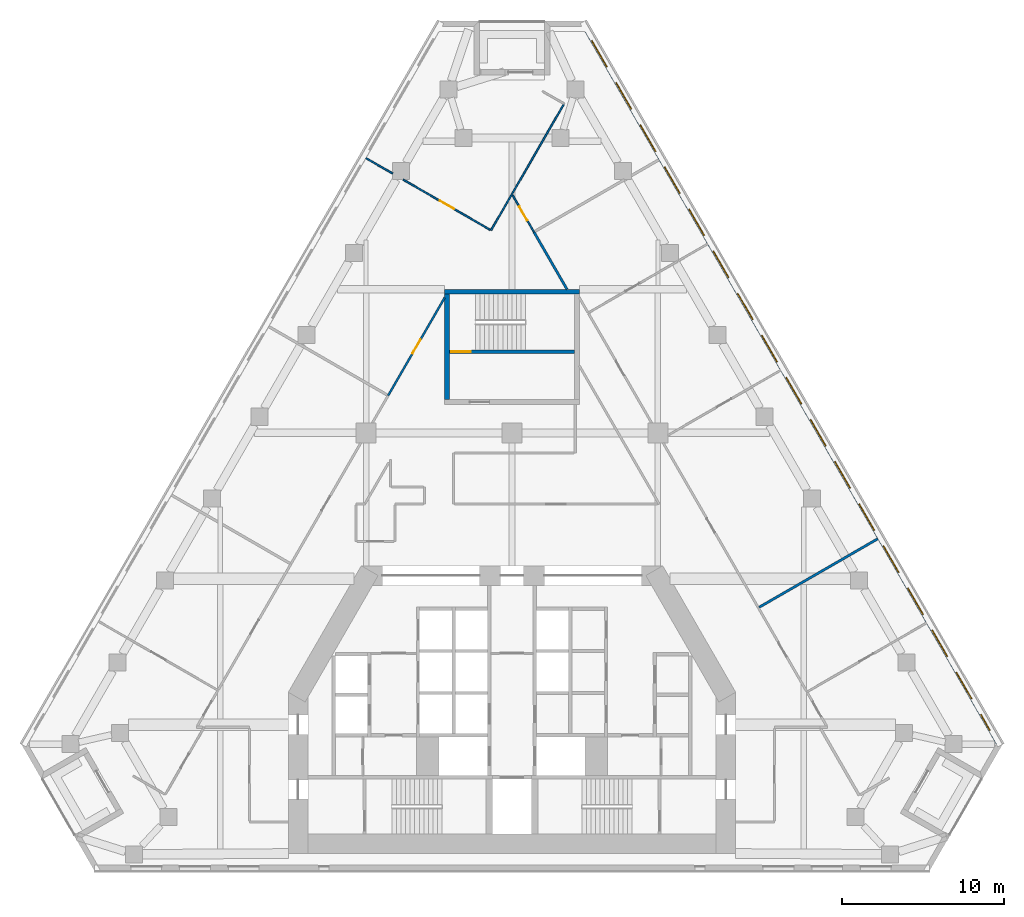
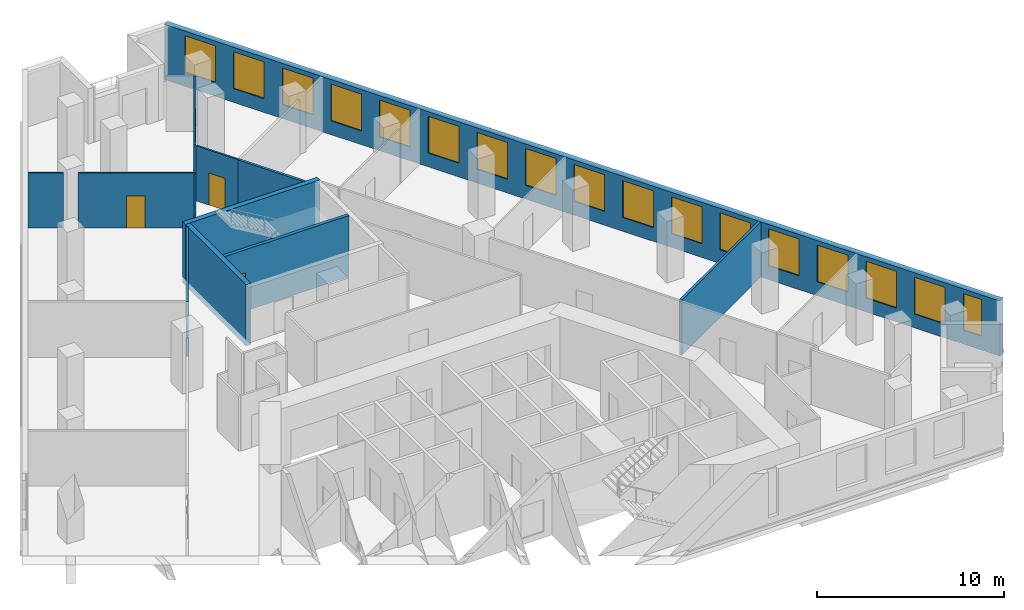
# One storey, part 8 of 10: 17 windows, 12 walls, 4 doors, 21 openings.
"""IFC4 building model written with IfcOpenShell, lengths in metres."""

from ifc_helpers import new_model, si_unit, direction, frame, frame_2d, origin, place, context, subcontext, project, spatial, rectangle, extrude, material, layer, layer_set, type_object, element, fill, save


model = new_model("IFC4")

# Units and contexts
model_context = context("Model", 3, precision=1e-05, world=origin(), true_north=direction((0.0, 1.0)))
body_context = subcontext(model_context, "Body", "Model", "MODEL_VIEW")
ifc_project = project(units=[si_unit("LENGTHUNIT", "METRE"), si_unit("AREAUNIT", "SQUARE_METRE"), si_unit("VOLUMEUNIT", "CUBIC_METRE"), si_unit("PLANEANGLEUNIT", "RADIAN"), si_unit("MASSUNIT", "GRAM", prefix="KILO")], contexts=[model_context])

# Site, building, storey
site_placement = place(None, origin())
site = spatial("IfcSite", under=ifc_project, at=site_placement, CompositionType="ELEMENT")
building_placement = place(site_placement, origin())
building = spatial("IfcBuilding", under=site, at=building_placement, Name="Fogline Exchange Tower", CompositionType="ELEMENT")
storey_placement = place(building_placement, frame((0.0, 0.0, 116.10009765625)))
storey = spatial("IfcBuildingStorey", under=building, at=storey_placement, Name="L25", CompositionType="ELEMENT", Elevation=116.10009765625)

# Wall, opening, door
ifc_material_1 = material(Name="Concrete C40", Category="concrete")
ifc_layer_1 = layer(ifc_material_1, 0.199951171875)
ifc_layer_set_1 = layer_set([ifc_layer_1], Name="CW20R")
wall_type_1 = type_object("IfcWallType", Name="CW20R", PredefinedType="SOLIDWALL", material=ifc_layer_set_1)
wall_1_placement = place(storey_placement, frame((-3.85009765625, 32.007080078125, -0.400146484375), z_axis=(0.0, 0.0, 1.0), x_axis=(1.0, 0.0, 0.0)))
wall_1 = element("IfcWall", 1, at=wall_1_placement, inside=storey, type_object=wall_type_1, Name="Stair enclosure wall ST3", PredefinedType="SOLIDWALL", context=body_context, shape_type="SweptSolid", body=[
    extrude(rectangle(XDim=7.7001953125, YDim=0.199951171875, at=frame_2d((3.85009765625, 0.0))), origin(), (0.0, 0.0, 1.0), 4.0),
])
opening_1_placement = place(wall_1_placement, frame((0.10009765625, 0.0, 0.39990234375)))
opening_1 = element("IfcOpeningElement", 2, at=opening_1_placement, cuts=wall_1, Name="Opening T07-C023", PredefinedType="OPENING", context=body_context, shape_type="SweptSolid", body=[
    extrude(rectangle(XDim=1.199951171875, YDim=2.10009765625, at=frame_2d((0.60009765625, 1.050048828125))), frame((0.0, 0.10986328125, 0.0), z_axis=(0.0, -1.0, 0.0), x_axis=(1.0, 0.0, 0.0)), (0.0, 0.0, 1.0), 0.219970703125),
])
ifc_material_2 = material(Name="Steel and timber fire door", Category="steel")
door_type_1 = type_object("IfcDoorType", Name="D-ST1", OperationType="SINGLE_SWING_LEFT", PredefinedType="DOOR", material=ifc_material_2)
door_1_placement = place(opening_1_placement, origin())
door_1 = element("IfcDoor", 3, at=door_1_placement, inside=storey, type_object=door_type_1, Name="Stair door ST3", OperationType="SINGLE_SWING_LEFT", OverallHeight=2.10009765625, OverallWidth=1.199951171875, PredefinedType="DOOR", context=body_context, shape_type="SweptSolid", body=[
    extrude(rectangle(XDim=1.199951171875, YDim=2.10009765625, at=frame_2d((0.60009765625, 1.050048828125))), frame((0.0, 0.02490234375, 0.0), z_axis=(0.0, -1.0, 0.0), x_axis=(1.0, 0.0, 0.0)), (0.0, 0.0, 1.0), 0.050048828125),
])
fill(opening_1, door_1)

# Walls
ifc_layer_2 = layer(ifc_material_1, 0.300048828125)
ifc_layer_set_2 = layer_set([ifc_layer_2], Name="CW30")
wall_type_2 = type_object("IfcWallType", Name="CW30", PredefinedType="SOLIDWALL", material=ifc_layer_set_2)
wall_2_placement = place(storey_placement, frame((-4.14990234375, 35.70703125, -0.400146484375), z_axis=(0.0, 0.0, 1.0), x_axis=(1.0, 0.0, 0.0)))
element("IfcWall", 4, at=wall_2_placement, inside=storey, type_object=wall_type_2, Name="Stair enclosure wall ST3", PredefinedType="SOLIDWALL", context=body_context, shape_type="SweptSolid", body=[
    extrude(rectangle(XDim=8.2998046875, YDim=0.300048828125, at=frame_2d((4.14990234375, 0.0))), origin(), (0.0, 0.0, 1.0), 4.0),
])
wall_3_placement = place(storey_placement, frame((-4.0, 29.056884765625, -0.400146484375), z_axis=(0.0, 0.0, 1.0), x_axis=(0.0, 1.0, 0.0)))
element("IfcWall", 5, at=wall_3_placement, inside=storey, type_object=wall_type_2, Name="Stair enclosure wall ST3", PredefinedType="SOLIDWALL", context=body_context, shape_type="SweptSolid", body=[
    extrude(rectangle(XDim=6.5, YDim=0.300048828125, at=frame_2d((3.25, 0.0))), origin(), (0.0, 0.0, 1.0), 4.0),
])

# Wall, openings, windows
ifc_material_3 = material(Name="Brick masonry", Category="masonry")
ifc_layer_3 = layer(ifc_material_3, 0.340087890625)
ifc_layer_set_3 = layer_set([ifc_layer_3], Name="FW1")
wall_type_3 = type_object("IfcWallType", Name="FW1", PredefinedType="SOLIDWALL", material=ifc_layer_set_3)
wall_4_placement = place(storey_placement, frame((30.118408203125, 7.709228515625, 0.0), z_axis=(0.0, 0.0, 1.0), x_axis=(-0.49999941333, 0.866025742498, 0.0)))
wall_4 = element("IfcWall", 6, at=wall_4_placement, inside=storey, type_object=wall_type_3, Name="Brick wall L25 E", PredefinedType="SOLIDWALL", context=body_context, shape_type="SweptSolid", body=[
    extrude(rectangle(XDim=51.53125, YDim=0.340087890625, at=frame_2d((25.765625, 0.0))), origin(), (0.0, 0.0, 1.0), 3.599853515625),
])
opening_2_placement = place(wall_4_placement, frame((3.3828125, 0.0, 0.89990234375)))
opening_2 = element("IfcOpeningElement", 7, at=opening_2_placement, cuts=wall_4, Name="Opening W1", PredefinedType="OPENING", context=body_context, shape_type="SweptSolid", body=[
    extrude(rectangle(XDim=1.885009765625, YDim=2.39990234375, at=frame_2d((0.9423828125, 1.199951171875))), frame((0.0, 0.18017578125, 0.0), z_axis=(0.0, -1.0, 0.0), x_axis=(1.0, 0.0, 0.0)), (0.0, 0.0, 1.0), 0.360107421875),
])
opening_3_placement = place(wall_4_placement, frame((6.3828125, 0.0, 0.89990234375)))
opening_3 = element("IfcOpeningElement", 8, at=opening_3_placement, cuts=wall_4, Name="Opening W1", PredefinedType="OPENING", context=body_context, shape_type="SweptSolid", body=[
    extrude(rectangle(XDim=1.885009765625, YDim=2.39990234375, at=frame_2d((0.9423828125, 1.199951171875))), frame((0.0, 0.18017578125, 0.0), z_axis=(0.0, -1.0, 0.0), x_axis=(1.0, 0.0, 0.0)), (0.0, 0.0, 1.0), 0.360107421875),
])
opening_4_placement = place(wall_4_placement, frame((9.3828125, 0.0, 0.89990234375)))
opening_4 = element("IfcOpeningElement", 9, at=opening_4_placement, cuts=wall_4, Name="Opening W1", PredefinedType="OPENING", context=body_context, shape_type="SweptSolid", body=[
    extrude(rectangle(XDim=1.885009765625, YDim=2.39990234375, at=frame_2d((0.9423828125, 1.199951171875))), frame((0.0, 0.18017578125, 0.0), z_axis=(0.0, -1.0, 0.0), x_axis=(1.0, 0.0, 0.0)), (0.0, 0.0, 1.0), 0.360107421875),
])
opening_5_placement = place(wall_4_placement, frame((12.3828125, 0.0, 0.89990234375)))
opening_5 = element("IfcOpeningElement", 10, at=opening_5_placement, cuts=wall_4, Name="Opening W1", PredefinedType="OPENING", context=body_context, shape_type="SweptSolid", body=[
    extrude(rectangle(XDim=1.885009765625, YDim=2.39990234375, at=frame_2d((0.9423828125, 1.199951171875))), frame((0.0, 0.18017578125, 0.0), z_axis=(0.0, -1.0, 0.0), x_axis=(1.0, 0.0, 0.0)), (0.0, 0.0, 1.0), 0.360107421875),
])
opening_6_placement = place(wall_4_placement, frame((15.3828125, 0.0, 0.89990234375)))
opening_6 = element("IfcOpeningElement", 11, at=opening_6_placement, cuts=wall_4, Name="Opening W1", PredefinedType="OPENING", context=body_context, shape_type="SweptSolid", body=[
    extrude(rectangle(XDim=1.885009765625, YDim=2.39990234375, at=frame_2d((0.9423828125, 1.199951171875))), frame((0.0, 0.18017578125, 0.0), z_axis=(0.0, -1.0, 0.0), x_axis=(1.0, 0.0, 0.0)), (0.0, 0.0, 1.0), 0.360107421875),
])
opening_7_placement = place(wall_4_placement, frame((18.3828125, 0.0, 0.89990234375)))
opening_7 = element("IfcOpeningElement", 12, at=opening_7_placement, cuts=wall_4, Name="Opening W1", PredefinedType="OPENING", context=body_context, shape_type="SweptSolid", body=[
    extrude(rectangle(XDim=1.885009765625, YDim=2.39990234375, at=frame_2d((0.9423828125, 1.199951171875))), frame((0.0, 0.18017578125, 0.0), z_axis=(0.0, -1.0, 0.0), x_axis=(1.0, 0.0, 0.0)), (0.0, 0.0, 1.0), 0.360107421875),
])
opening_8_placement = place(wall_4_placement, frame((21.3828125, 0.0, 0.89990234375)))
opening_8 = element("IfcOpeningElement", 13, at=opening_8_placement, cuts=wall_4, Name="Opening W1", PredefinedType="OPENING", context=body_context, shape_type="SweptSolid", body=[
    extrude(rectangle(XDim=1.885009765625, YDim=2.39990234375, at=frame_2d((0.9423828125, 1.199951171875))), frame((0.0, 0.18017578125, 0.0), z_axis=(0.0, -1.0, 0.0), x_axis=(1.0, 0.0, 0.0)), (0.0, 0.0, 1.0), 0.360107421875),
])
opening_9_placement = place(wall_4_placement, frame((24.3828125, 0.0, 0.89990234375)))
opening_9 = element("IfcOpeningElement", 14, at=opening_9_placement, cuts=wall_4, Name="Opening W1", PredefinedType="OPENING", context=body_context, shape_type="SweptSolid", body=[
    extrude(rectangle(XDim=1.885009765625, YDim=2.39990234375, at=frame_2d((0.9423828125, 1.199951171875))), frame((0.0, 0.18017578125, 0.0), z_axis=(0.0, -1.0, 0.0), x_axis=(1.0, 0.0, 0.0)), (0.0, 0.0, 1.0), 0.360107421875),
])
opening_10_placement = place(wall_4_placement, frame((27.3828125, 0.0, 0.89990234375)))
opening_10 = element("IfcOpeningElement", 15, at=opening_10_placement, cuts=wall_4, Name="Opening W1", PredefinedType="OPENING", context=body_context, shape_type="SweptSolid", body=[
    extrude(rectangle(XDim=1.885009765625, YDim=2.39990234375, at=frame_2d((0.9423828125, 1.199951171875))), frame((0.0, 0.18017578125, 0.0), z_axis=(0.0, -1.0, 0.0), x_axis=(1.0, 0.0, 0.0)), (0.0, 0.0, 1.0), 0.360107421875),
])
opening_11_placement = place(wall_4_placement, frame((30.3828125, 0.0, 0.89990234375)))
opening_11 = element("IfcOpeningElement", 16, at=opening_11_placement, cuts=wall_4, Name="Opening W1", PredefinedType="OPENING", context=body_context, shape_type="SweptSolid", body=[
    extrude(rectangle(XDim=1.885009765625, YDim=2.39990234375, at=frame_2d((0.9423828125, 1.199951171875))), frame((0.0, 0.18017578125, 0.0), z_axis=(0.0, -1.0, 0.0), x_axis=(1.0, 0.0, 0.0)), (0.0, 0.0, 1.0), 0.360107421875),
])
opening_12_placement = place(wall_4_placement, frame((33.3828125, 0.0, 0.89990234375)))
opening_12 = element("IfcOpeningElement", 17, at=opening_12_placement, cuts=wall_4, Name="Opening W1", PredefinedType="OPENING", context=body_context, shape_type="SweptSolid", body=[
    extrude(rectangle(XDim=1.885009765625, YDim=2.39990234375, at=frame_2d((0.9423828125, 1.199951171875))), frame((0.0, 0.18017578125, 0.0), z_axis=(0.0, -1.0, 0.0), x_axis=(1.0, 0.0, 0.0)), (0.0, 0.0, 1.0), 0.360107421875),
])
opening_13_placement = place(wall_4_placement, frame((36.3828125, 0.0, 0.89990234375)))
opening_13 = element("IfcOpeningElement", 18, at=opening_13_placement, cuts=wall_4, Name="Opening W1", PredefinedType="OPENING", context=body_context, shape_type="SweptSolid", body=[
    extrude(rectangle(XDim=1.885009765625, YDim=2.39990234375, at=frame_2d((0.9423828125, 1.199951171875))), frame((0.0, 0.18017578125, 0.0), z_axis=(0.0, -1.0, 0.0), x_axis=(1.0, 0.0, 0.0)), (0.0, 0.0, 1.0), 0.360107421875),
])
opening_14_placement = place(wall_4_placement, frame((39.3828125, 0.0, 0.89990234375)))
opening_14 = element("IfcOpeningElement", 19, at=opening_14_placement, cuts=wall_4, Name="Opening W1", PredefinedType="OPENING", context=body_context, shape_type="SweptSolid", body=[
    extrude(rectangle(XDim=1.885009765625, YDim=2.39990234375, at=frame_2d((0.9423828125, 1.199951171875))), frame((0.0, 0.18017578125, 0.0), z_axis=(0.0, -1.0, 0.0), x_axis=(1.0, 0.0, 0.0)), (0.0, 0.0, 1.0), 0.360107421875),
])
opening_15_placement = place(wall_4_placement, frame((42.3828125, 0.0, 0.89990234375)))
opening_15 = element("IfcOpeningElement", 20, at=opening_15_placement, cuts=wall_4, Name="Opening W1", PredefinedType="OPENING", context=body_context, shape_type="SweptSolid", body=[
    extrude(rectangle(XDim=1.885009765625, YDim=2.39990234375, at=frame_2d((0.9423828125, 1.199951171875))), frame((0.0, 0.18017578125, 0.0), z_axis=(0.0, -1.0, 0.0), x_axis=(1.0, 0.0, 0.0)), (0.0, 0.0, 1.0), 0.360107421875),
])
opening_16_placement = place(wall_4_placement, frame((45.3828125, 0.0, 0.89990234375)))
opening_16 = element("IfcOpeningElement", 21, at=opening_16_placement, cuts=wall_4, Name="Opening W1", PredefinedType="OPENING", context=body_context, shape_type="SweptSolid", body=[
    extrude(rectangle(XDim=1.885009765625, YDim=2.39990234375, at=frame_2d((0.9423828125, 1.199951171875))), frame((0.0, 0.18017578125, 0.0), z_axis=(0.0, -1.0, 0.0), x_axis=(1.0, 0.0, 0.0)), (0.0, 0.0, 1.0), 0.360107421875),
])
opening_17_placement = place(wall_4_placement, frame((48.3828125, 0.0, 0.89990234375)))
opening_17 = element("IfcOpeningElement", 22, at=opening_17_placement, cuts=wall_4, Name="Opening W1", PredefinedType="OPENING", context=body_context, shape_type="SweptSolid", body=[
    extrude(rectangle(XDim=1.885009765625, YDim=2.39990234375, at=frame_2d((0.9423828125, 1.199951171875))), frame((0.0, 0.18017578125, 0.0), z_axis=(0.0, -1.0, 0.0), x_axis=(1.0, 0.0, 0.0)), (0.0, 0.0, 1.0), 0.360107421875),
])
opening_18_placement = place(wall_4_placement, frame((1.1337890625, 0.0, 0.89990234375)))
opening_18 = element("IfcOpeningElement", 23, at=opening_18_placement, cuts=wall_4, Name="Opening W4", PredefinedType="OPENING", context=body_context, shape_type="SweptSolid", body=[
    extrude(rectangle(XDim=1.114990234375, YDim=2.39990234375, at=frame_2d((0.5576171875, 1.199951171875))), frame((0.0, 0.18017578125, 0.0), z_axis=(0.0, -1.0, 0.0), x_axis=(1.0, 0.0, 0.0)), (0.0, 0.0, 1.0), 0.360107421875),
])
ifc_material_4 = material(Name="Aluminium and glass", Category="aluminium")
window_type_1 = type_object("IfcWindowType", Name="W1", PartitioningType="SINGLE_PANEL", PredefinedType="WINDOW", material=ifc_material_4)
window_1_placement = place(opening_2_placement, origin())
window_1 = element("IfcWindow", 24, at=window_1_placement, inside=storey, type_object=window_type_1, Name="W1 W1", OverallHeight=2.39990234375, OverallWidth=1.885009765625, PartitioningType="SINGLE_PANEL", PredefinedType="WINDOW", context=body_context, shape_type="SweptSolid", body=[
    extrude(rectangle(XDim=1.885009765625, YDim=2.39990234375, at=frame_2d((0.9423828125, 1.199951171875))), frame((0.0, 0.110107421875, 0.0), z_axis=(0.0, -1.0, 0.0), x_axis=(1.0, 0.0, 0.0)), (0.0, 0.0, 1.0), 0.06005859375),
])
fill(opening_2, window_1)
window_2_placement = place(opening_3_placement, origin())
window_2 = element("IfcWindow", 25, at=window_2_placement, inside=storey, type_object=window_type_1, Name="W1 W1", OverallHeight=2.39990234375, OverallWidth=1.885009765625, PartitioningType="SINGLE_PANEL", PredefinedType="WINDOW", context=body_context, shape_type="SweptSolid", body=[
    extrude(rectangle(XDim=1.885009765625, YDim=2.39990234375, at=frame_2d((0.9423828125, 1.199951171875))), frame((0.0, 0.110107421875, 0.0), z_axis=(0.0, -1.0, 0.0), x_axis=(1.0, 0.0, 0.0)), (0.0, 0.0, 1.0), 0.06005859375),
])
fill(opening_3, window_2)
window_3_placement = place(opening_4_placement, origin())
window_3 = element("IfcWindow", 26, at=window_3_placement, inside=storey, type_object=window_type_1, Name="W1 W1", OverallHeight=2.39990234375, OverallWidth=1.885009765625, PartitioningType="SINGLE_PANEL", PredefinedType="WINDOW", context=body_context, shape_type="SweptSolid", body=[
    extrude(rectangle(XDim=1.885009765625, YDim=2.39990234375, at=frame_2d((0.9423828125, 1.199951171875))), frame((0.0, 0.110107421875, 0.0), z_axis=(0.0, -1.0, 0.0), x_axis=(1.0, 0.0, 0.0)), (0.0, 0.0, 1.0), 0.06005859375),
])
fill(opening_4, window_3)
window_4_placement = place(opening_5_placement, origin())
window_4 = element("IfcWindow", 27, at=window_4_placement, inside=storey, type_object=window_type_1, Name="W1 W1", OverallHeight=2.39990234375, OverallWidth=1.885009765625, PartitioningType="SINGLE_PANEL", PredefinedType="WINDOW", context=body_context, shape_type="SweptSolid", body=[
    extrude(rectangle(XDim=1.885009765625, YDim=2.39990234375, at=frame_2d((0.9423828125, 1.199951171875))), frame((0.0, 0.110107421875, 0.0), z_axis=(0.0, -1.0, 0.0), x_axis=(1.0, 0.0, 0.0)), (0.0, 0.0, 1.0), 0.06005859375),
])
fill(opening_5, window_4)
window_5_placement = place(opening_6_placement, origin())
window_5 = element("IfcWindow", 28, at=window_5_placement, inside=storey, type_object=window_type_1, Name="W1 W1", OverallHeight=2.39990234375, OverallWidth=1.885009765625, PartitioningType="SINGLE_PANEL", PredefinedType="WINDOW", context=body_context, shape_type="SweptSolid", body=[
    extrude(rectangle(XDim=1.885009765625, YDim=2.39990234375, at=frame_2d((0.9423828125, 1.199951171875))), frame((0.0, 0.110107421875, 0.0), z_axis=(0.0, -1.0, 0.0), x_axis=(1.0, 0.0, 0.0)), (0.0, 0.0, 1.0), 0.06005859375),
])
fill(opening_6, window_5)
window_6_placement = place(opening_7_placement, origin())
window_6 = element("IfcWindow", 29, at=window_6_placement, inside=storey, type_object=window_type_1, Name="W1 W1", OverallHeight=2.39990234375, OverallWidth=1.885009765625, PartitioningType="SINGLE_PANEL", PredefinedType="WINDOW", context=body_context, shape_type="SweptSolid", body=[
    extrude(rectangle(XDim=1.885009765625, YDim=2.39990234375, at=frame_2d((0.9423828125, 1.199951171875))), frame((0.0, 0.110107421875, 0.0), z_axis=(0.0, -1.0, 0.0), x_axis=(1.0, 0.0, 0.0)), (0.0, 0.0, 1.0), 0.06005859375),
])
fill(opening_7, window_6)
window_7_placement = place(opening_8_placement, origin())
window_7 = element("IfcWindow", 30, at=window_7_placement, inside=storey, type_object=window_type_1, Name="W1 W1", OverallHeight=2.39990234375, OverallWidth=1.885009765625, PartitioningType="SINGLE_PANEL", PredefinedType="WINDOW", context=body_context, shape_type="SweptSolid", body=[
    extrude(rectangle(XDim=1.885009765625, YDim=2.39990234375, at=frame_2d((0.9423828125, 1.199951171875))), frame((0.0, 0.110107421875, 0.0), z_axis=(0.0, -1.0, 0.0), x_axis=(1.0, 0.0, 0.0)), (0.0, 0.0, 1.0), 0.06005859375),
])
fill(opening_8, window_7)
window_8_placement = place(opening_9_placement, origin())
window_8 = element("IfcWindow", 31, at=window_8_placement, inside=storey, type_object=window_type_1, Name="W1 W1", OverallHeight=2.39990234375, OverallWidth=1.885009765625, PartitioningType="SINGLE_PANEL", PredefinedType="WINDOW", context=body_context, shape_type="SweptSolid", body=[
    extrude(rectangle(XDim=1.885009765625, YDim=2.39990234375, at=frame_2d((0.9423828125, 1.199951171875))), frame((0.0, 0.110107421875, 0.0), z_axis=(0.0, -1.0, 0.0), x_axis=(1.0, 0.0, 0.0)), (0.0, 0.0, 1.0), 0.06005859375),
])
fill(opening_9, window_8)
window_9_placement = place(opening_10_placement, origin())
window_9 = element("IfcWindow", 32, at=window_9_placement, inside=storey, type_object=window_type_1, Name="W1 W1", OverallHeight=2.39990234375, OverallWidth=1.885009765625, PartitioningType="SINGLE_PANEL", PredefinedType="WINDOW", context=body_context, shape_type="SweptSolid", body=[
    extrude(rectangle(XDim=1.885009765625, YDim=2.39990234375, at=frame_2d((0.9423828125, 1.199951171875))), frame((0.0, 0.110107421875, 0.0), z_axis=(0.0, -1.0, 0.0), x_axis=(1.0, 0.0, 0.0)), (0.0, 0.0, 1.0), 0.06005859375),
])
fill(opening_10, window_9)
window_10_placement = place(opening_11_placement, origin())
window_10 = element("IfcWindow", 33, at=window_10_placement, inside=storey, type_object=window_type_1, Name="W1 W1", OverallHeight=2.39990234375, OverallWidth=1.885009765625, PartitioningType="SINGLE_PANEL", PredefinedType="WINDOW", context=body_context, shape_type="SweptSolid", body=[
    extrude(rectangle(XDim=1.885009765625, YDim=2.39990234375, at=frame_2d((0.9423828125, 1.199951171875))), frame((0.0, 0.110107421875, 0.0), z_axis=(0.0, -1.0, 0.0), x_axis=(1.0, 0.0, 0.0)), (0.0, 0.0, 1.0), 0.06005859375),
])
fill(opening_11, window_10)
window_11_placement = place(opening_12_placement, origin())
window_11 = element("IfcWindow", 34, at=window_11_placement, inside=storey, type_object=window_type_1, Name="W1 W1", OverallHeight=2.39990234375, OverallWidth=1.885009765625, PartitioningType="SINGLE_PANEL", PredefinedType="WINDOW", context=body_context, shape_type="SweptSolid", body=[
    extrude(rectangle(XDim=1.885009765625, YDim=2.39990234375, at=frame_2d((0.9423828125, 1.199951171875))), frame((0.0, 0.110107421875, 0.0), z_axis=(0.0, -1.0, 0.0), x_axis=(1.0, 0.0, 0.0)), (0.0, 0.0, 1.0), 0.06005859375),
])
fill(opening_12, window_11)
window_12_placement = place(opening_13_placement, origin())
window_12 = element("IfcWindow", 35, at=window_12_placement, inside=storey, type_object=window_type_1, Name="W1 W1", OverallHeight=2.39990234375, OverallWidth=1.885009765625, PartitioningType="SINGLE_PANEL", PredefinedType="WINDOW", context=body_context, shape_type="SweptSolid", body=[
    extrude(rectangle(XDim=1.885009765625, YDim=2.39990234375, at=frame_2d((0.9423828125, 1.199951171875))), frame((0.0, 0.110107421875, 0.0), z_axis=(0.0, -1.0, 0.0), x_axis=(1.0, 0.0, 0.0)), (0.0, 0.0, 1.0), 0.06005859375),
])
fill(opening_13, window_12)
window_13_placement = place(opening_14_placement, origin())
window_13 = element("IfcWindow", 36, at=window_13_placement, inside=storey, type_object=window_type_1, Name="W1 W1", OverallHeight=2.39990234375, OverallWidth=1.885009765625, PartitioningType="SINGLE_PANEL", PredefinedType="WINDOW", context=body_context, shape_type="SweptSolid", body=[
    extrude(rectangle(XDim=1.885009765625, YDim=2.39990234375, at=frame_2d((0.9423828125, 1.199951171875))), frame((0.0, 0.110107421875, 0.0), z_axis=(0.0, -1.0, 0.0), x_axis=(1.0, 0.0, 0.0)), (0.0, 0.0, 1.0), 0.06005859375),
])
fill(opening_14, window_13)
window_14_placement = place(opening_15_placement, origin())
window_14 = element("IfcWindow", 37, at=window_14_placement, inside=storey, type_object=window_type_1, Name="W1 W1", OverallHeight=2.39990234375, OverallWidth=1.885009765625, PartitioningType="SINGLE_PANEL", PredefinedType="WINDOW", context=body_context, shape_type="SweptSolid", body=[
    extrude(rectangle(XDim=1.885009765625, YDim=2.39990234375, at=frame_2d((0.9423828125, 1.199951171875))), frame((0.0, 0.110107421875, 0.0), z_axis=(0.0, -1.0, 0.0), x_axis=(1.0, 0.0, 0.0)), (0.0, 0.0, 1.0), 0.06005859375),
])
fill(opening_15, window_14)
window_15_placement = place(opening_16_placement, origin())
window_15 = element("IfcWindow", 38, at=window_15_placement, inside=storey, type_object=window_type_1, Name="W1 W1", OverallHeight=2.39990234375, OverallWidth=1.885009765625, PartitioningType="SINGLE_PANEL", PredefinedType="WINDOW", context=body_context, shape_type="SweptSolid", body=[
    extrude(rectangle(XDim=1.885009765625, YDim=2.39990234375, at=frame_2d((0.9423828125, 1.199951171875))), frame((0.0, 0.110107421875, 0.0), z_axis=(0.0, -1.0, 0.0), x_axis=(1.0, 0.0, 0.0)), (0.0, 0.0, 1.0), 0.06005859375),
])
fill(opening_16, window_15)
window_16_placement = place(opening_17_placement, origin())
window_16 = element("IfcWindow", 39, at=window_16_placement, inside=storey, type_object=window_type_1, Name="W1 W1", OverallHeight=2.39990234375, OverallWidth=1.885009765625, PartitioningType="SINGLE_PANEL", PredefinedType="WINDOW", context=body_context, shape_type="SweptSolid", body=[
    extrude(rectangle(XDim=1.885009765625, YDim=2.39990234375, at=frame_2d((0.9423828125, 1.199951171875))), frame((0.0, 0.110107421875, 0.0), z_axis=(0.0, -1.0, 0.0), x_axis=(1.0, 0.0, 0.0)), (0.0, 0.0, 1.0), 0.06005859375),
])
fill(opening_17, window_16)
window_type_2 = type_object("IfcWindowType", Name="W4", PartitioningType="SINGLE_PANEL", PredefinedType="WINDOW", material=ifc_material_4)
window_17_placement = place(opening_18_placement, origin())
window_17 = element("IfcWindow", 40, at=window_17_placement, inside=storey, type_object=window_type_2, Name="W4 W4", OverallHeight=2.39990234375, OverallWidth=1.114990234375, PartitioningType="SINGLE_PANEL", PredefinedType="WINDOW", context=body_context, shape_type="SweptSolid", body=[
    extrude(rectangle(XDim=1.114990234375, YDim=2.39990234375, at=frame_2d((0.5576171875, 1.199951171875))), frame((0.0, 0.110107421875, 0.0), z_axis=(0.0, -1.0, 0.0), x_axis=(1.0, 0.0, 0.0)), (0.0, 0.0, 1.0), 0.06005859375),
])
fill(opening_18, window_17)

# Wall
ifc_material_5 = material(Name="Plasterboard partition, 2 layers each side on steel studs", Category="steel")
ifc_layer_4 = layer(ifc_material_5, 0.10009765625)
ifc_layer_set_4 = layer_set([ifc_layer_4], Name="PW1")
wall_type_4 = type_object("IfcWallType", Name="PW1", PredefinedType="PARTITIONING", material=ifc_layer_set_4)
wall_5_placement = place(storey_placement, frame((0.0, 41.73583984375, 0.0), z_axis=(0.0, 0.0, 1.0), x_axis=(0.499999599858, 0.866025634807, 0.0)))
element("IfcWall", 41, at=wall_5_placement, inside=storey, type_object=wall_type_4, Name="wall-L25-W040", PredefinedType="PARTITIONING", context=body_context, shape_type="SweptSolid", body=[
    extrude(rectangle(XDim=6.3798828125, YDim=0.10009765625, at=frame_2d((3.18994140625, 0.0))), origin(), (0.0, 0.0, 1.0), 3.599853515625),
])

# Wall, opening, door
wall_6_placement = place(storey_placement, frame((1.350830078125, 39.39599609375, 0.0), z_axis=(0.0, 0.0, 1.0), x_axis=(-0.500005339912, 0.866022320763, 0.0)))
wall_6 = element("IfcWall", 42, at=wall_6_placement, inside=storey, type_object=wall_type_4, Name="wall-L25-W042", PredefinedType="PARTITIONING", context=body_context, shape_type="SweptSolid", body=[
    extrude(rectangle(XDim=2.61474609375, YDim=0.10009765625, at=frame_2d((1.307373046875, 0.0))), origin(), (0.0, 0.0, 1.0), 3.599853515625),
])
opening_19_placement = place(wall_6_placement, frame((0.807373046875, 0.0, 0.0)))
opening_19 = element("IfcOpeningElement", 43, at=opening_19_placement, cuts=wall_6, Name="Opening T07-D015", PredefinedType="OPENING", context=body_context, shape_type="SweptSolid", body=[
    extrude(rectangle(XDim=1.0, YDim=2.10009765625, at=frame_2d((0.5, 1.050048828125))), frame((0.0, 0.06005859375, 0.0), z_axis=(0.0, -1.0, 0.0), x_axis=(1.0, 0.0, 0.0)), (0.0, 0.0, 1.0), 0.1201171875),
])
ifc_material_6 = material(Name="Timber door leaf with steel frame", Category="steel")
door_type_2 = type_object("IfcDoorType", Name="D1", OperationType="SINGLE_SWING_LEFT", PredefinedType="DOOR", material=ifc_material_6)
door_2_placement = place(opening_19_placement, frame((1.0, 0.0, 0.0), z_axis=(0.0, 0.0, 1.0), x_axis=(-1.0, 0.0, 0.0)))
door_2 = element("IfcDoor", 44, at=door_2_placement, inside=storey, type_object=door_type_2, Name="door-L25-D015", OperationType="SINGLE_SWING_LEFT", OverallHeight=2.10009765625, OverallWidth=1.0, PredefinedType="DOOR", context=body_context, shape_type="SweptSolid", body=[
    extrude(rectangle(XDim=1.0, YDim=2.10009765625, at=frame_2d((0.5, 1.050048828125))), frame((0.0, 0.02490234375, 0.0), z_axis=(0.0, -1.0, 0.0), x_axis=(1.0, 0.0, 0.0)), (0.0, 0.0, 1.0), 0.050048828125),
])
fill(opening_19, door_2)

# Wall
wall_7_placement = place(storey_placement, frame((0.0, 41.73583984375, 0.0), z_axis=(0.0, 0.0, 1.0), x_axis=(-0.50001655835, -0.866015843605, 0.0)))
element("IfcWall", 45, at=wall_7_placement, inside=storey, type_object=wall_type_4, Name="wall-L25-W043", PredefinedType="PARTITIONING", context=body_context, shape_type="SweptSolid", body=[
    extrude(rectangle(XDim=2.5869140625, YDim=0.10009765625, at=frame_2d((1.29345703125, 0.0))), origin(), (0.0, 0.0, 1.0), 3.599853515625),
])

# Wall, opening, door
wall_8_placement = place(storey_placement, frame((-1.336669921875, 39.5205078125, 0.0), z_axis=(0.0, 0.0, 1.0), x_axis=(-0.866017753424, 0.500013250579, 0.0)))
wall_8 = element("IfcWall", 46, at=wall_8_placement, inside=storey, type_object=wall_type_4, Name="wall-L25-W044", PredefinedType="PARTITIONING", context=body_context, shape_type="SweptSolid", body=[
    extrude(rectangle(XDim=6.201416015625, YDim=0.10009765625, at=frame_2d((3.1005859375, 0.0))), origin(), (0.0, 0.0, 1.0), 3.599853515625),
])
opening_20_placement = place(wall_8_placement, frame((2.6005859375, 0.0, 0.0)))
opening_20 = element("IfcOpeningElement", 47, at=opening_20_placement, cuts=wall_8, Name="Opening T07-D016", PredefinedType="OPENING", context=body_context, shape_type="SweptSolid", body=[
    extrude(rectangle(XDim=1.0, YDim=2.10009765625, at=frame_2d((0.5, 1.050048828125))), frame((0.0, 0.06005859375, 0.0), z_axis=(0.0, -1.0, 0.0), x_axis=(1.0, 0.0, 0.0)), (0.0, 0.0, 1.0), 0.1201171875),
])
door_3_placement = place(opening_20_placement, frame((1.0, 0.0, 0.0), z_axis=(0.0, 0.0, 1.0), x_axis=(-1.0, 0.0, 0.0)))
door_3 = element("IfcDoor", 48, at=door_3_placement, inside=storey, type_object=door_type_2, Name="door-L25-D016", OperationType="SINGLE_SWING_RIGHT", OverallHeight=2.10009765625, OverallWidth=1.0, PredefinedType="DOOR", context=body_context, shape_type="SweptSolid", body=[
    extrude(rectangle(XDim=1.0, YDim=2.10009765625, at=frame_2d((0.5, 1.050048828125))), frame((0.0, 0.02490234375, 0.0), z_axis=(0.0, -1.0, 0.0), x_axis=(1.0, 0.0, 0.0)), (0.0, 0.0, 1.0), 0.050048828125),
])
fill(opening_20, door_3)

# Wall
wall_9_placement = place(storey_placement, frame((-7.36328125, 43.000244140625, 0.0), z_axis=(0.0, 0.0, 1.0), x_axis=(-0.866073792734, 0.499916178513, 0.0)))
element("IfcWall", 49, at=wall_9_placement, inside=storey, type_object=wall_type_4, Name="wall-L25-W045", PredefinedType="PARTITIONING", context=body_context, shape_type="SweptSolid", body=[
    extrude(rectangle(XDim=1.890869140625, YDim=0.10009765625, at=frame_2d((0.9453125, 0.0))), origin(), (0.0, 0.0, 1.0), 3.599853515625),
])

# Wall, opening, door
ifc_material_7 = material(Name="Plasterboard corridor partition with mineral wool, 2 layers each side")
ifc_layer_5 = layer(ifc_material_7, 0.125)
ifc_layer_set_5 = layer_set([ifc_layer_5], Name="PW2")
wall_type_5 = type_object("IfcWallType", Name="PW2", PredefinedType="PARTITIONING", material=ifc_layer_set_5)
wall_10_placement = place(storey_placement, frame((-7.639892578125, 29.30322265625, 0.0), z_axis=(0.0, 0.0, 1.0), x_axis=(0.500010091595, 0.866019577321, 0.0)))
wall_10 = element("IfcWall", 50, at=wall_10_placement, inside=storey, type_object=wall_type_5, Name="wall-L25-W010", PredefinedType="PARTITIONING", context=body_context, shape_type="SweptSolid", body=[
    extrude(rectangle(XDim=6.979736328125, YDim=0.125, at=frame_2d((3.48974609375, 0.0))), origin(), (0.0, 0.0, 1.0), 3.599853515625),
])
opening_21_placement = place(wall_10_placement, frame((2.98974609375, 0.0, 0.0)))
opening_21 = element("IfcOpeningElement", 51, at=opening_21_placement, cuts=wall_10, Name="Opening T07-D005", PredefinedType="OPENING", context=body_context, shape_type="SweptSolid", body=[
    extrude(rectangle(XDim=1.0, YDim=2.10009765625, at=frame_2d((0.5, 1.050048828125))), frame((0.0, 0.072509765625, 0.0), z_axis=(0.0, -1.0, 0.0), x_axis=(1.0, 0.0, 0.0)), (0.0, 0.0, 1.0), 0.14501953125),
])
ifc_material_8 = material(Name="Fire-rated timber door leaf with steel frame", Category="steel")
door_type_3 = type_object("IfcDoorType", Name="D3", OperationType="SINGLE_SWING_LEFT", PredefinedType="DOOR", material=ifc_material_8)
door_4_placement = place(opening_21_placement, origin())
door_4 = element("IfcDoor", 52, at=door_4_placement, inside=storey, type_object=door_type_3, Name="door-L25-D005", OperationType="SINGLE_SWING_LEFT", OverallHeight=2.10009765625, OverallWidth=1.0, PredefinedType="DOOR", context=body_context, shape_type="SweptSolid", body=[
    extrude(rectangle(XDim=1.0, YDim=2.10009765625, at=frame_2d((0.5, 1.050048828125))), frame((0.0, 0.02490234375, 0.0), z_axis=(0.0, -1.0, 0.0), x_axis=(1.0, 0.0, 0.0)), (0.0, 0.0, 1.0), 0.050048828125),
])
fill(opening_21, door_4)

# Walls
ifc_material_9 = material(Name="Plasterboard demising partition with mineral wool and acoustic board")
ifc_layer_6 = layer(ifc_material_9, 0.14990234375)
ifc_layer_set_6 = layer_set([ifc_layer_6], Name="PW3")
wall_type_6 = type_object("IfcWallType", Name="PW3", PredefinedType="PARTITIONING", material=ifc_layer_set_6)
wall_11_placement = place(storey_placement, frame((22.55859375, 20.46337890625, 0.0), z_axis=(0.0, 0.0, 1.0), x_axis=(-0.866026575979, -0.499997969693, 0.0)))
element("IfcWall", 53, at=wall_11_placement, inside=storey, type_object=wall_type_6, Name="wall-L25-W034", PredefinedType="PARTITIONING", context=body_context, shape_type="SweptSolid", body=[
    extrude(rectangle(XDim=8.4375, YDim=0.14990234375, at=frame_2d((4.21875, 0.0))), origin(), (0.0, 0.0, 1.0), 3.599853515625),
])
wall_12_placement = place(storey_placement, frame((3.394287109375, 35.85693359375, 0.0), z_axis=(0.0, 0.0, 1.0), x_axis=(-0.500032730183, 0.86600650618, 0.0)))
element("IfcWall", 54, at=wall_12_placement, inside=storey, type_object=wall_type_6, Name="wall-L25-W039", PredefinedType="PARTITIONING", context=body_context, shape_type="SweptSolid", body=[
    extrude(rectangle(XDim=4.086669921875, YDim=0.14990234375, at=frame_2d((2.04345703125, 0.0))), origin(), (0.0, 0.0, 1.0), 3.599853515625),
])

save(model, "model.ifc")
